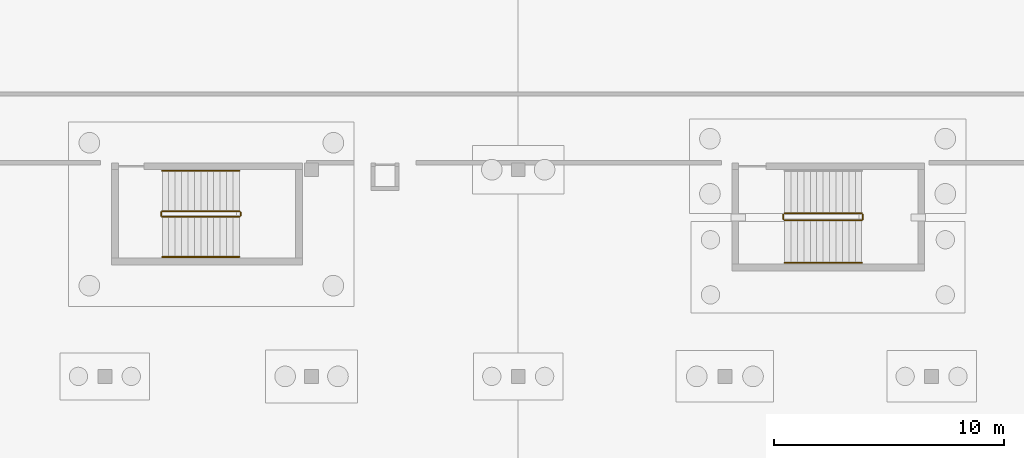
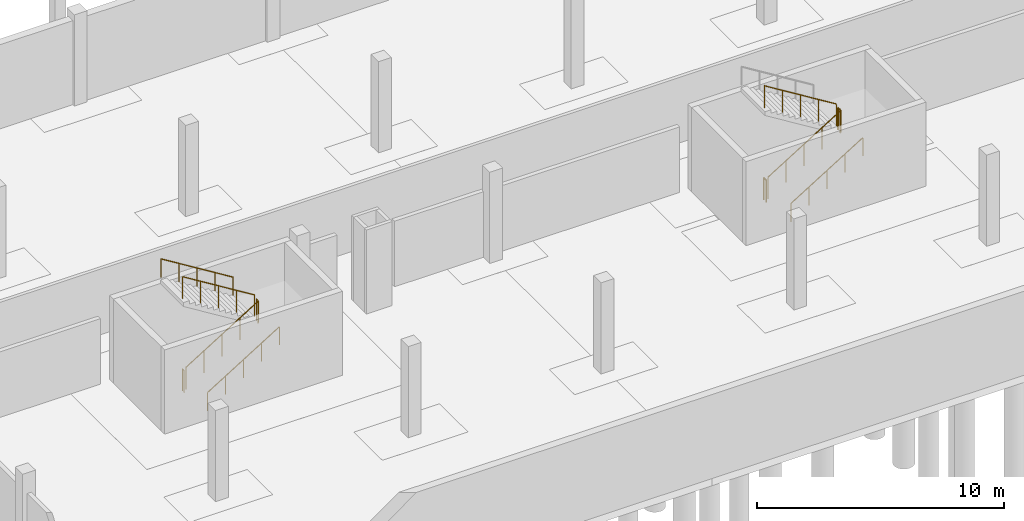
# One storey, part 31 of 36: 11 railings.
"""IFC4 building model written with IfcOpenShell, lengths in metres."""

from ifc_helpers import new_model, si_unit, direction, frame, origin, origin_2d, place, context, subcontext, project, spatial, circle, extrude, material, layer, layer_set, type_object, element, save


model = new_model("IFC4")

# Units and contexts
model_context = context("Model", 3, precision=1e-05, world=origin(), true_north=direction((0.0, 1.0)))
body_context = subcontext(model_context, "Body", "Model", "MODEL_VIEW")
ifc_project = project(units=[si_unit("LENGTHUNIT", "METRE"), si_unit("AREAUNIT", "SQUARE_METRE"), si_unit("VOLUMEUNIT", "CUBIC_METRE"), si_unit("PLANEANGLEUNIT", "RADIAN"), si_unit("MASSUNIT", "GRAM", prefix="KILO")], contexts=[model_context])

# Site, building, storey
site_placement = place(None, origin())
site = spatial("IfcSite", under=ifc_project, at=site_placement, CompositionType="ELEMENT")
building_placement = place(site_placement, origin())
building = spatial("IfcBuilding", under=site, at=building_placement, Name="Chiffa Square Polytechnic", CompositionType="ELEMENT")
storey_placement = place(building_placement, frame((0.0, 0.0, -4.5)))
storey = spatial("IfcBuildingStorey", under=building, at=storey_placement, Name="B1", CompositionType="ELEMENT", Elevation=-4.5)

# Railings
ifc_material = material(Name="Steel S355", Category="steel")
ifc_layer_1 = layer(ifc_material, 0.050048828125, Name="Steel S355")
ifc_layer_set_1 = layer_set([ifc_layer_1], Name="Steel S355")
railing_type_1 = type_object("IfcRailingType", Name="RL-STAIR-GUARD", PredefinedType="GUARDRAIL", material=ifc_layer_set_1)
railing_1_placement = place(storey_placement, frame((96.199951171875, 110.60009765625, 0.173095703125)))
element("IfcRailing", 1, at=railing_1_placement, inside=storey, type_object=railing_type_1, Name="B1 ST-V5B stair guard 1", PredefinedType="GUARDRAIL", context=body_context, shape_type="SweptSolid", body=[
    extrude(circle(Radius=0.02392578125, at=origin_2d()), frame((0.0, 0.0, 1.076171875), z_axis=(0.850623216509, 0.0, 0.525775754039), x_axis=(0.0, 1.0, 0.0)), (0.0, 0.0, 1.0), 3.9501953125),
    extrude(circle(Radius=0.02099609375, at=origin_2d()), origin(), (0.0, 0.0, 1.0), 1.052001953125),
    extrude(circle(Radius=0.02099609375, at=origin_2d()), frame((0.840087890625, 0.0, 0.519287109375)), (0.0, 0.0, 1.0), 1.052001953125),
    extrude(circle(Radius=0.02099609375, at=origin_2d()), frame((1.68017578125, 0.0, 1.03857421875)), (0.0, 0.0, 1.0), 1.052001953125),
    extrude(circle(Radius=0.02099609375, at=origin_2d()), frame((2.52001953125, 0.0, 1.5576171875)), (0.0, 0.0, 1.0), 1.052001953125),
    extrude(circle(Radius=0.02099609375, at=origin_2d()), frame((3.360107421875, 0.0, 2.076904296875)), (0.0, 0.0, 1.0), 1.052001953125),
])
railing_2_placement = place(storey_placement, frame((99.610107421875, 110.64990234375, 2.25)))
element("IfcRailing", 2, at=railing_2_placement, inside=storey, type_object=railing_type_1, Name="B1 ST-V5B stair guard 2", PredefinedType="GUARDRAIL", context=body_context, shape_type="SweptSolid", body=[
    extrude(circle(Radius=0.02392578125, at=origin_2d()), frame((0.0, 0.0, 1.076171875), z_axis=(0.0, 1.0, 0.0), x_axis=(-1.0, 0.0, 0.0)), (0.0, 0.0, 1.0), 0.2001953125),
    extrude(circle(Radius=0.02099609375, at=origin_2d()), origin(), (0.0, 0.0, 1.0), 1.052001953125),
    extrude(circle(Radius=0.02099609375, at=origin_2d()), frame((0.0, 0.2001953125, 0.0)), (0.0, 0.0, 1.0), 1.052001953125),
])
railing_3_placement = place(storey_placement, frame((99.56005859375, 110.89990234375, 2.423095703125)))
element("IfcRailing", 3, at=railing_3_placement, inside=storey, type_object=railing_type_1, Name="B1 ST-V5B stair guard 3", PredefinedType="GUARDRAIL", context=body_context, shape_type="SweptSolid", body=[
    extrude(circle(Radius=0.02392578125, at=origin_2d()), frame((0.0, 0.0, 1.076171875), z_axis=(-0.850623216509, 0.0, 0.525775754039), x_axis=(0.0, -1.0, 0.0)), (0.0, 0.0, 1.0), 3.9501953125),
    extrude(circle(Radius=0.02099609375, at=origin_2d()), origin(), (0.0, 0.0, 1.0), 1.052001953125),
    extrude(circle(Radius=0.02099609375, at=origin_2d()), frame((-0.840087890625, 0.0, 0.519287109375)), (0.0, 0.0, 1.0), 1.052001953125),
    extrude(circle(Radius=0.02099609375, at=origin_2d()), frame((-1.68017578125, 0.0, 1.03857421875)), (0.0, 0.0, 1.0), 1.052001953125),
    extrude(circle(Radius=0.02099609375, at=origin_2d()), frame((-2.52001953125, 0.0, 1.5576171875)), (0.0, 0.0, 1.0), 1.052001953125),
    extrude(circle(Radius=0.02099609375, at=origin_2d()), frame((-3.360107421875, 0.0, 2.076904296875)), (0.0, 0.0, 1.0), 1.052001953125),
])
railing_4_placement = place(storey_placement, frame((96.14990234375, 110.64990234375, 0.0)))
element("IfcRailing", 4, at=railing_4_placement, inside=storey, type_object=railing_type_1, Name="B1 ST-V5B stair guard 4", PredefinedType="GUARDRAIL", context=body_context, shape_type="SweptSolid", body=[
    extrude(circle(Radius=0.02392578125, at=origin_2d()), frame((0.0, 0.0, 1.076171875), z_axis=(0.0, 1.0, 0.0), x_axis=(-1.0, 0.0, 0.0)), (0.0, 0.0, 1.0), 0.2001953125),
    extrude(circle(Radius=0.02099609375, at=origin_2d()), origin(), (0.0, 0.0, 1.0), 1.052001953125),
    extrude(circle(Radius=0.02099609375, at=origin_2d()), frame((0.0, 0.2001953125, 0.0)), (0.0, 0.0, 1.0), 1.052001953125),
])
railing_5_placement = place(storey_placement, frame((69.10009765625, 110.75, 0.173095703125)))
element("IfcRailing", 5, at=railing_5_placement, inside=storey, type_object=railing_type_1, Name="B1 ST-B1W stair guard 1", PredefinedType="GUARDRAIL", context=body_context, shape_type="SweptSolid", body=[
    extrude(circle(Radius=0.02392578125, at=origin_2d()), frame((0.0, 0.0, 1.076171875), z_axis=(0.850606129759, 0.0, 0.525803396734), x_axis=(0.0, 1.0, 0.0)), (0.0, 0.0, 1.0), 3.949951171875),
    extrude(circle(Radius=0.02099609375, at=origin_2d()), origin(), (0.0, 0.0, 1.0), 1.052001953125),
    extrude(circle(Radius=0.02099609375, at=origin_2d()), frame((0.83984375, 0.0, 0.519287109375)), (0.0, 0.0, 1.0), 1.052001953125),
    extrude(circle(Radius=0.02099609375, at=origin_2d()), frame((1.679931640625, 0.0, 1.03857421875)), (0.0, 0.0, 1.0), 1.052001953125),
    extrude(circle(Radius=0.02099609375, at=origin_2d()), frame((2.52001953125, 0.0, 1.5576171875)), (0.0, 0.0, 1.0), 1.052001953125),
    extrude(circle(Radius=0.02099609375, at=origin_2d()), frame((3.35986328125, 0.0, 2.076904296875)), (0.0, 0.0, 1.0), 1.052001953125),
])
railing_6_placement = place(storey_placement, frame((72.510009765625, 110.800048828125, 2.25)))
element("IfcRailing", 6, at=railing_6_placement, inside=storey, type_object=railing_type_1, Name="B1 ST-B1W stair guard 2", PredefinedType="GUARDRAIL", context=body_context, shape_type="SweptSolid", body=[
    extrude(circle(Radius=0.02392578125, at=origin_2d()), frame((0.0, 0.0, 1.076171875), z_axis=(0.0, 1.0, 0.0), x_axis=(-1.0, 0.0, 0.0)), (0.0, 0.0, 1.0), 0.14990234375),
    extrude(circle(Radius=0.02099609375, at=origin_2d()), origin(), (0.0, 0.0, 1.0), 1.052001953125),
    extrude(circle(Radius=0.02099609375, at=origin_2d()), frame((0.0, 0.14990234375, 0.0)), (0.0, 0.0, 1.0), 1.052001953125),
])
railing_7_placement = place(storey_placement, frame((72.4599609375, 111.0, 2.423095703125)))
element("IfcRailing", 7, at=railing_7_placement, inside=storey, type_object=railing_type_1, Name="B1 ST-B1W stair guard 3", PredefinedType="GUARDRAIL", context=body_context, shape_type="SweptSolid", body=[
    extrude(circle(Radius=0.02392578125, at=origin_2d()), frame((0.0, 0.0, 1.076171875), z_axis=(-0.850606129759, 0.0, 0.525803396734), x_axis=(0.0, -1.0, 0.0)), (0.0, 0.0, 1.0), 3.949951171875),
    extrude(circle(Radius=0.02099609375, at=origin_2d()), origin(), (0.0, 0.0, 1.0), 1.052001953125),
    extrude(circle(Radius=0.02099609375, at=origin_2d()), frame((-0.83984375, 0.0, 0.519287109375)), (0.0, 0.0, 1.0), 1.052001953125),
    extrude(circle(Radius=0.02099609375, at=origin_2d()), frame((-1.679931640625, 0.0, 1.03857421875)), (0.0, 0.0, 1.0), 1.052001953125),
    extrude(circle(Radius=0.02099609375, at=origin_2d()), frame((-2.52001953125, 0.0, 1.5576171875)), (0.0, 0.0, 1.0), 1.052001953125),
    extrude(circle(Radius=0.02099609375, at=origin_2d()), frame((-3.35986328125, 0.0, 2.076904296875)), (0.0, 0.0, 1.0), 1.052001953125),
])
railing_8_placement = place(storey_placement, frame((69.050048828125, 110.800048828125, 0.0)))
element("IfcRailing", 8, at=railing_8_placement, inside=storey, type_object=railing_type_1, Name="B1 ST-B1W stair guard 4", PredefinedType="GUARDRAIL", context=body_context, shape_type="SweptSolid", body=[
    extrude(circle(Radius=0.02392578125, at=origin_2d()), frame((0.0, 0.0, 1.076171875), z_axis=(0.0, 1.0, 0.0), x_axis=(-1.0, 0.0, 0.0)), (0.0, 0.0, 1.0), 0.14990234375),
    extrude(circle(Radius=0.02099609375, at=origin_2d()), origin(), (0.0, 0.0, 1.0), 1.052001953125),
    extrude(circle(Radius=0.02099609375, at=origin_2d()), frame((0.0, 0.14990234375, 0.0)), (0.0, 0.0, 1.0), 1.052001953125),
])
ifc_layer_2 = layer(ifc_material, 0.044921875, Name="Steel S355")
ifc_layer_set_2 = layer_set([ifc_layer_2], Name="Steel S355")
railing_type_2 = type_object("IfcRailingType", Name="RL-STAIR-HAND", PredefinedType="HANDRAIL", material=ifc_layer_set_2)
railing_9_placement = place(storey_placement, frame((96.199951171875, 108.75, 0.173095703125)))
element("IfcRailing", 9, at=railing_9_placement, inside=storey, type_object=railing_type_2, Name="B1 ST-V5B stair handrail 1", PredefinedType="HANDRAIL", context=body_context, shape_type="SweptSolid", body=[
    extrude(circle(Radius=0.02392578125, at=origin_2d()), frame((0.0, 0.0, 0.89599609375), z_axis=(0.850623216509, 0.0, 0.525775754039), x_axis=(0.0, 1.0, 0.0)), (0.0, 0.0, 1.0), 3.9501953125),
    extrude(circle(Radius=0.02099609375, at=origin_2d()), origin(), (0.0, 0.0, 1.0), 0.871826171875),
    extrude(circle(Radius=0.02099609375, at=origin_2d()), frame((0.840087890625, 0.0, 0.519287109375)), (0.0, 0.0, 1.0), 0.871826171875),
    extrude(circle(Radius=0.02099609375, at=origin_2d()), frame((1.68017578125, 0.0, 1.03857421875)), (0.0, 0.0, 1.0), 0.871826171875),
    extrude(circle(Radius=0.02099609375, at=origin_2d()), frame((2.52001953125, 0.0, 1.5576171875)), (0.0, 0.0, 1.0), 0.871826171875),
    extrude(circle(Radius=0.02099609375, at=origin_2d()), frame((3.360107421875, 0.0, 2.076904296875)), (0.0, 0.0, 1.0), 0.871826171875),
])
railing_10_placement = place(storey_placement, frame((69.10009765625, 109.0, 0.173095703125)))
element("IfcRailing", 10, at=railing_10_placement, inside=storey, type_object=railing_type_2, Name="B1 ST-B1W stair handrail 1", PredefinedType="HANDRAIL", context=body_context, shape_type="SweptSolid", body=[
    extrude(circle(Radius=0.02392578125, at=origin_2d()), frame((0.0, 0.0, 0.89599609375), z_axis=(0.850606129759, 0.0, 0.525803396734), x_axis=(0.0, 1.0, 0.0)), (0.0, 0.0, 1.0), 3.949951171875),
    extrude(circle(Radius=0.02099609375, at=origin_2d()), origin(), (0.0, 0.0, 1.0), 0.871826171875),
    extrude(circle(Radius=0.02099609375, at=origin_2d()), frame((0.83984375, 0.0, 0.519287109375)), (0.0, 0.0, 1.0), 0.871826171875),
    extrude(circle(Radius=0.02099609375, at=origin_2d()), frame((1.679931640625, 0.0, 1.03857421875)), (0.0, 0.0, 1.0), 0.871826171875),
    extrude(circle(Radius=0.02099609375, at=origin_2d()), frame((2.52001953125, 0.0, 1.5576171875)), (0.0, 0.0, 1.0), 0.871826171875),
    extrude(circle(Radius=0.02099609375, at=origin_2d()), frame((3.35986328125, 0.0, 2.076904296875)), (0.0, 0.0, 1.0), 0.871826171875),
])
railing_11_placement = place(storey_placement, frame((72.4599609375, 112.75, 2.423095703125)))
element("IfcRailing", 11, at=railing_11_placement, inside=storey, type_object=railing_type_2, Name="B1 ST-B1W stair handrail 2", PredefinedType="HANDRAIL", context=body_context, shape_type="SweptSolid", body=[
    extrude(circle(Radius=0.02392578125, at=origin_2d()), frame((0.0, 0.0, 0.89599609375), z_axis=(-0.850606129759, 0.0, 0.525803396734), x_axis=(0.0, -1.0, 0.0)), (0.0, 0.0, 1.0), 3.949951171875),
    extrude(circle(Radius=0.02099609375, at=origin_2d()), origin(), (0.0, 0.0, 1.0), 0.871826171875),
    extrude(circle(Radius=0.02099609375, at=origin_2d()), frame((-0.83984375, 0.0, 0.519287109375)), (0.0, 0.0, 1.0), 0.871826171875),
    extrude(circle(Radius=0.02099609375, at=origin_2d()), frame((-1.679931640625, 0.0, 1.03857421875)), (0.0, 0.0, 1.0), 0.871826171875),
    extrude(circle(Radius=0.02099609375, at=origin_2d()), frame((-2.52001953125, 0.0, 1.5576171875)), (0.0, 0.0, 1.0), 0.871826171875),
    extrude(circle(Radius=0.02099609375, at=origin_2d()), frame((-3.35986328125, 0.0, 2.076904296875)), (0.0, 0.0, 1.0), 0.871826171875),
])

save(model, "model.ifc")
